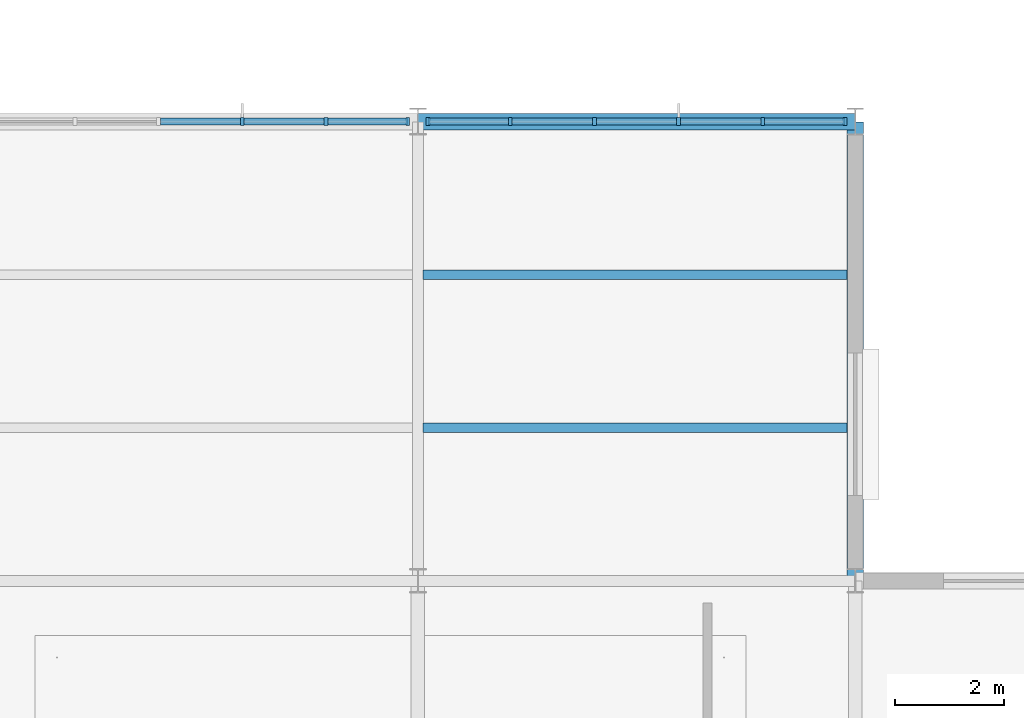
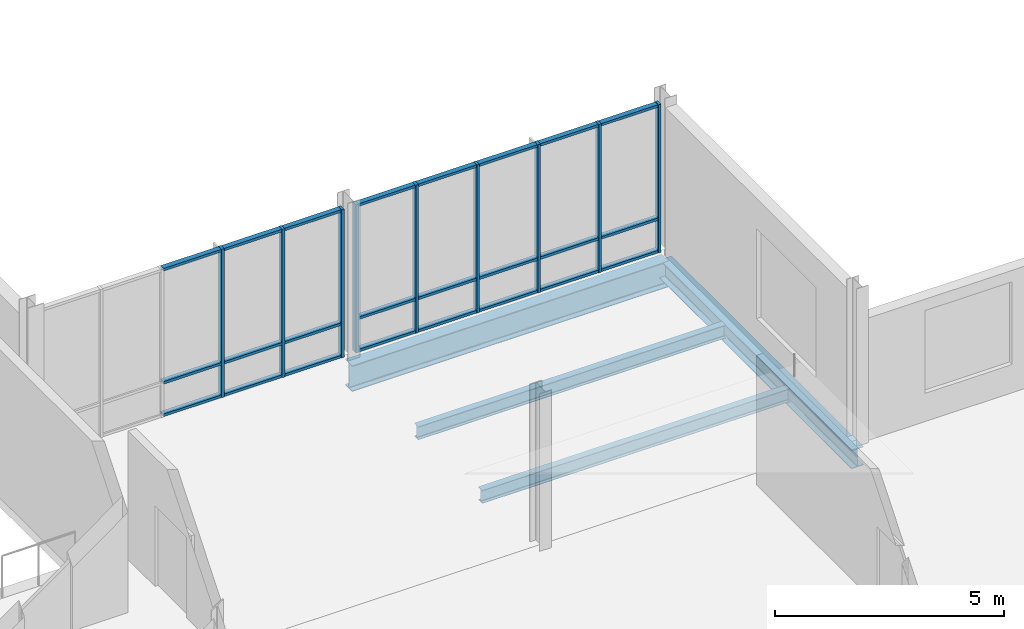
# One storey, part 36 of 75: 33 members, 4 beams, 2 elements without a shape of their own.
"""IFC4 building model written with IfcOpenShell, lengths in metres."""

from ifc_helpers import new_model, si_unit, direction, frame, origin, origin_2d, place, context, subcontext, project, spatial, rectangle, i_section, extrude, material, layer, layer_set, material_profile, profile_set, type_object, element, aggregate, save


model = new_model("IFC4")

# Units and contexts
model_context = context("Model", 3, precision=1e-05, world=origin(), true_north=direction((0.0, 1.0)))
body_context = subcontext(model_context, "Body", "Model", "MODEL_VIEW")
ifc_project = project(units=[si_unit("LENGTHUNIT", "METRE"), si_unit("AREAUNIT", "SQUARE_METRE"), si_unit("VOLUMEUNIT", "CUBIC_METRE"), si_unit("PLANEANGLEUNIT", "RADIAN"), si_unit("MASSUNIT", "GRAM", prefix="KILO")], contexts=[model_context])

# Site, building, storey
site_placement = place(None, origin())
site = spatial("IfcSite", under=ifc_project, at=site_placement, CompositionType="ELEMENT")
building_placement = place(site_placement, origin())
building = spatial("IfcBuilding", under=site, at=building_placement, Name="Yukiwa Park Conservatory and Herbarium", CompositionType="ELEMENT")
storey_placement = place(building_placement, frame((0.0, 0.0, 4.800048828125)))
storey = spatial("IfcBuildingStorey", under=building, at=storey_placement, Name="L01", CompositionType="ELEMENT", Elevation=4.800048828125)

# Beams
ifc_material_1 = material(Name="Steel Q355D", Category="steel")
ifc_material_profile_1 = material_profile(ifc_material_1, i_section(OverallWidth=0.175048828125, OverallDepth=0.35009765625, WebThickness=0.007080078125, FlangeThickness=0.010986328125, FilletRadius=0.013916015625, at=origin_2d()), Name="HN 350x175x7x11")
ifc_profile_set_1 = profile_set([ifc_material_profile_1], Name="Steel Q355D")
beam_type_1 = type_object("IfcBeamType", Name="BM-JST-HN350", PredefinedType="JOIST", material=ifc_profile_set_1)
for number, where, z_axis, x_axis, name in (
    (1, (68.095947265625, 80.800048828125, -0.4150390625), (1.0, 0.0, 0.0), (0.0, 1.0, 0.0), "L01 composite floor joist 25"),
    (2, (68.095947265625, 83.60009765625, -0.4150390625), (1.0, 0.0, 0.0), (0.0, 1.0, 0.0), "L01 composite floor joist 26"),
):
    element("IfcBeam", number, at=place(storey_placement, frame(where, z_axis=z_axis, x_axis=x_axis)), inside=storey, type_object=beam_type_1, Name=name, PredefinedType="JOIST", context=body_context, shape_type="SweptSolid", body=[
        extrude(i_section(OverallWidth=0.175048828125, OverallDepth=0.35009765625, WebThickness=0.007080078125, FlangeThickness=0.010986328125, FilletRadius=0.013916015625, at=origin_2d()), origin(), (0.0, 0.0, 1.0), 7.758056640625),
    ])
ifc_material_2 = material(Name="Steel Q355D", Category="steel")
ifc_material_profile_2 = material_profile(ifc_material_2, i_section(OverallWidth=0.300048828125, OverallDepth=0.5, WebThickness=0.010986328125, FlangeThickness=0.01806640625, FilletRadius=0.02392578125, at=origin_2d()), Name="HM 500x300x11x18")
ifc_profile_set_2 = profile_set([ifc_material_profile_2], Name="Steel Q355D")
beam_type_2 = type_object("IfcBeamType", Name="BM-SPN-HN500", PredefinedType="SPANDREL", material=ifc_profile_set_2)
beam_1_placement = place(storey_placement, frame((76.0, 78.006103515625, -0.489990234375), z_axis=(0.0, 1.0, 0.0), x_axis=(-1.0, 0.0, 0.0)))
element("IfcBeam", 3, at=beam_1_placement, inside=storey, type_object=beam_type_2, Name="L01 spandrel girder Y-136", PredefinedType="SPANDREL", context=body_context, shape_type="SweptSolid", body=[
    extrude(i_section(OverallWidth=0.300048828125, OverallDepth=0.5, WebThickness=0.010986328125, FlangeThickness=0.01806640625, FilletRadius=0.02392578125, at=origin_2d()), origin(), (0.0, 0.0, 1.0), 8.387939453125),
])
ifc_material_3 = material(Name="Steel Q355D", Category="steel")
ifc_material_profile_3 = material_profile(ifc_material_3, i_section(OverallWidth=0.300048828125, OverallDepth=0.69189453125, WebThickness=0.012939453125, FlangeThickness=0.02001953125, FilletRadius=0.028076171875, at=origin_2d()), Name="HN 692x300x13x20")
ifc_profile_set_3 = profile_set([ifc_material_profile_3], Name="Steel Q355D")
beam_type_3 = type_object("IfcBeamType", Name="BM-SPN-HN550", PredefinedType="SPANDREL", material=ifc_profile_set_3)
beam_2_placement = place(storey_placement, frame((68.006103515625, 86.39990234375, -0.5859375), z_axis=(1.0, 0.0, 0.0), x_axis=(0.0, 1.0, 0.0)))
element("IfcBeam", 4, at=beam_2_placement, inside=storey, type_object=beam_type_3, Name="L01 spandrel beam X-72", PredefinedType="SPANDREL", context=body_context, shape_type="SweptSolid", body=[
    extrude(i_section(OverallWidth=0.300048828125, OverallDepth=0.69189453125, WebThickness=0.012939453125, FlangeThickness=0.02001953125, FilletRadius=0.028076171875, at=origin_2d()), origin(), (0.0, 0.0, 1.0), 7.98779296875),
])

# Curtain wall, members
ifc_material_4 = material(Name="Triple Low-E Insulated Glass", Category="glass")
ifc_layer = layer(ifc_material_4, 0.236083984375)
ifc_layer_set = layer_set([ifc_layer], Name="Triple Low-E Insulated Glass")
curtain_wall_type = type_object("IfcCurtainWallType", Name="CW-LINK-1500", PredefinedType="NOTDEFINED", material=ifc_layer_set)
curtain_wall_1_placement = place(storey_placement, origin())
curtain_wall_1 = element("IfcCurtainWall", 5, at=curtain_wall_1_placement, inside=storey, type_object=curtain_wall_type, Name="L01 unitised curtain wall CW-L01-046", PredefinedType="NOTDEFINED")
ifc_material_5 = material(Name="Anodised Aluminium", Category="aluminium")
member_type_1 = type_object("IfcMemberType", Name="MB-CW-MUL-70X150", PredefinedType="MULLION", material=ifc_material_5)
member_1_placement = place(storey_placement, frame((75.81494140625, 86.39990234375, 0.0), z_axis=(0.0, 0.0, 1.0), x_axis=(-1.0, 0.0, 0.0)))
member_1 = element("IfcMember", 6, at=member_1_placement, type_object=member_type_1, Name="CW-L01-046 mullion 1", PredefinedType="MULLION", context=body_context, shape_type="SweptSolid", body=[
    extrude(rectangle(XDim=0.070068359375, YDim=0.14990234375, at=origin_2d()), origin(), (0.0, 0.0, 1.0), 3.955078125),
])
member_2_placement = place(storey_placement, frame((74.31005859375, 86.39990234375, 0.0), z_axis=(0.0, 0.0, 1.0), x_axis=(-1.0, 0.0, 0.0)))
member_2 = element("IfcMember", 7, at=member_2_placement, type_object=member_type_1, Name="CW-L01-046 mullion 2", PredefinedType="MULLION", context=body_context, shape_type="SweptSolid", body=[
    extrude(rectangle(XDim=0.070068359375, YDim=0.14990234375, at=origin_2d()), origin(), (0.0, 0.0, 1.0), 3.955078125),
])
member_3_placement = place(storey_placement, frame((72.77001953125, 86.39990234375, 0.0), z_axis=(0.0, 0.0, 1.0), x_axis=(-1.0, 0.0, 0.0)))
member_3 = element("IfcMember", 8, at=member_3_placement, type_object=member_type_1, Name="CW-L01-046 mullion 3", PredefinedType="MULLION", context=body_context, shape_type="SweptSolid", body=[
    extrude(rectangle(XDim=0.070068359375, YDim=0.14990234375, at=origin_2d()), origin(), (0.0, 0.0, 1.0), 3.955078125),
])
member_4_placement = place(storey_placement, frame((71.22998046875, 86.39990234375, 0.0), z_axis=(0.0, 0.0, 1.0), x_axis=(-1.0, 0.0, 0.0)))
member_4 = element("IfcMember", 9, at=member_4_placement, type_object=member_type_1, Name="CW-L01-046 mullion 4", PredefinedType="MULLION", context=body_context, shape_type="SweptSolid", body=[
    extrude(rectangle(XDim=0.070068359375, YDim=0.14990234375, at=origin_2d()), origin(), (0.0, 0.0, 1.0), 3.955078125),
])
member_5_placement = place(storey_placement, frame((69.68994140625, 86.39990234375, 0.0), z_axis=(0.0, 0.0, 1.0), x_axis=(-1.0, 0.0, 0.0)))
member_5 = element("IfcMember", 10, at=member_5_placement, type_object=member_type_1, Name="CW-L01-046 mullion 5", PredefinedType="MULLION", context=body_context, shape_type="SweptSolid", body=[
    extrude(rectangle(XDim=0.070068359375, YDim=0.14990234375, at=origin_2d()), origin(), (0.0, 0.0, 1.0), 3.955078125),
])
member_6_placement = place(storey_placement, frame((68.18505859375, 86.39990234375, 0.0), z_axis=(0.0, 0.0, 1.0), x_axis=(-1.0, 0.0, 0.0)))
member_6 = element("IfcMember", 11, at=member_6_placement, type_object=member_type_1, Name="CW-L01-046 mullion 6", PredefinedType="MULLION", context=body_context, shape_type="SweptSolid", body=[
    extrude(rectangle(XDim=0.070068359375, YDim=0.14990234375, at=origin_2d()), origin(), (0.0, 0.0, 1.0), 3.955078125),
])

curtain_wall_2_placement = place(storey_placement, origin())
curtain_wall_2 = element("IfcCurtainWall", 12, at=curtain_wall_2_placement, inside=storey, type_object=curtain_wall_type, Name="L01 unitised curtain wall CW-L01-047", PredefinedType="NOTDEFINED")
member_7_placement = place(storey_placement, frame((67.81494140625, 86.39990234375, 0.0), z_axis=(0.0, 0.0, 1.0), x_axis=(-1.0, 0.0, 0.0)))
member_7 = element("IfcMember", 13, at=member_7_placement, type_object=member_type_1, Name="CW-L01-047 mullion 1", PredefinedType="MULLION", context=body_context, shape_type="SweptSolid", body=[
    extrude(rectangle(XDim=0.070068359375, YDim=0.14990234375, at=origin_2d()), origin(), (0.0, 0.0, 1.0), 3.955078125),
])
member_8_placement = place(storey_placement, frame((66.320068359375, 86.39990234375, 0.0), z_axis=(0.0, 0.0, 1.0), x_axis=(-1.0, 0.0, 0.0)))
member_8 = element("IfcMember", 14, at=member_8_placement, type_object=member_type_1, Name="CW-L01-047 mullion 2", PredefinedType="MULLION", context=body_context, shape_type="SweptSolid", body=[
    extrude(rectangle(XDim=0.070068359375, YDim=0.14990234375, at=origin_2d()), origin(), (0.0, 0.0, 1.0), 3.955078125),
])
member_9_placement = place(storey_placement, frame((64.7900390625, 86.39990234375, 0.0), z_axis=(0.0, 0.0, 1.0), x_axis=(-1.0, 0.0, 0.0)))
member_9 = element("IfcMember", 15, at=member_9_placement, type_object=member_type_1, Name="CW-L01-047 mullion 3", PredefinedType="MULLION", context=body_context, shape_type="SweptSolid", body=[
    extrude(rectangle(XDim=0.070068359375, YDim=0.14990234375, at=origin_2d()), origin(), (0.0, 0.0, 1.0), 3.955078125),
])

# Member
ifc_material_6 = material(Name="Anodised Aluminium", Category="aluminium")
member_type_2 = type_object("IfcMemberType", Name="MB-CW-TRN-70X130", PredefinedType="USERDEFINED", material=ifc_material_6)
member_10_placement = place(storey_placement, frame((75.080078125, 86.39990234375, 0.0), z_axis=(0.0, 0.0, 1.0), x_axis=(-1.0, 0.0, 0.0)))
member_10 = element("IfcMember", 16, at=member_10_placement, type_object=member_type_2, Name="CW-L01-046 transom 1.1", ObjectType="TRANSOM", PredefinedType="USERDEFINED", context=body_context, shape_type="SweptSolid", body=[
    extrude(rectangle(XDim=1.469970703125, YDim=0.1298828125, at=origin_2d()), origin(), (0.0, 0.0, 1.0), 0.070068359375),
])

member_11_placement = place(storey_placement, frame((75.080078125, 86.39990234375, 0.86474609375), z_axis=(0.0, 0.0, 1.0), x_axis=(-1.0, 0.0, 0.0)))
member_11 = element("IfcMember", 17, at=member_11_placement, type_object=member_type_2, Name="CW-L01-046 transom 1.2", ObjectType="TRANSOM", PredefinedType="USERDEFINED", context=body_context, shape_type="SweptSolid", body=[
    extrude(rectangle(XDim=1.469970703125, YDim=0.1298828125, at=origin_2d()), origin(), (0.0, 0.0, 1.0), 0.070068359375),
])

member_12_placement = place(storey_placement, frame((75.080078125, 86.39990234375, 3.884765625), z_axis=(0.0, 0.0, 1.0), x_axis=(-1.0, 0.0, 0.0)))
member_12 = element("IfcMember", 18, at=member_12_placement, type_object=member_type_2, Name="CW-L01-046 transom 1.3", ObjectType="TRANSOM", PredefinedType="USERDEFINED", context=body_context, shape_type="SweptSolid", body=[
    extrude(rectangle(XDim=1.469970703125, YDim=0.1298828125, at=origin_2d()), origin(), (0.0, 0.0, 1.0), 0.070068359375),
])

member_13_placement = place(storey_placement, frame((73.5400390625, 86.39990234375, 0.0), z_axis=(0.0, 0.0, 1.0), x_axis=(-1.0, 0.0, 0.0)))
member_13 = element("IfcMember", 19, at=member_13_placement, type_object=member_type_2, Name="CW-L01-046 transom 2.1", ObjectType="TRANSOM", PredefinedType="USERDEFINED", context=body_context, shape_type="SweptSolid", body=[
    extrude(rectangle(XDim=1.469970703125, YDim=0.1298828125, at=origin_2d()), origin(), (0.0, 0.0, 1.0), 0.070068359375),
])

member_14_placement = place(storey_placement, frame((73.5400390625, 86.39990234375, 0.86474609375), z_axis=(0.0, 0.0, 1.0), x_axis=(-1.0, 0.0, 0.0)))
member_14 = element("IfcMember", 20, at=member_14_placement, type_object=member_type_2, Name="CW-L01-046 transom 2.2", ObjectType="TRANSOM", PredefinedType="USERDEFINED", context=body_context, shape_type="SweptSolid", body=[
    extrude(rectangle(XDim=1.469970703125, YDim=0.1298828125, at=origin_2d()), origin(), (0.0, 0.0, 1.0), 0.070068359375),
])

member_15_placement = place(storey_placement, frame((73.5400390625, 86.39990234375, 3.884765625), z_axis=(0.0, 0.0, 1.0), x_axis=(-1.0, 0.0, 0.0)))
member_15 = element("IfcMember", 21, at=member_15_placement, type_object=member_type_2, Name="CW-L01-046 transom 2.3", ObjectType="TRANSOM", PredefinedType="USERDEFINED", context=body_context, shape_type="SweptSolid", body=[
    extrude(rectangle(XDim=1.469970703125, YDim=0.1298828125, at=origin_2d()), origin(), (0.0, 0.0, 1.0), 0.070068359375),
])

member_16_placement = place(storey_placement, frame((72.0, 86.39990234375, 0.0), z_axis=(0.0, 0.0, 1.0), x_axis=(-1.0, 0.0, 0.0)))
member_16 = element("IfcMember", 22, at=member_16_placement, type_object=member_type_2, Name="CW-L01-046 transom 3.1", ObjectType="TRANSOM", PredefinedType="USERDEFINED", context=body_context, shape_type="SweptSolid", body=[
    extrude(rectangle(XDim=1.469970703125, YDim=0.1298828125, at=origin_2d()), origin(), (0.0, 0.0, 1.0), 0.070068359375),
])

member_17_placement = place(storey_placement, frame((72.0, 86.39990234375, 0.86474609375), z_axis=(0.0, 0.0, 1.0), x_axis=(-1.0, 0.0, 0.0)))
member_17 = element("IfcMember", 23, at=member_17_placement, type_object=member_type_2, Name="CW-L01-046 transom 3.2", ObjectType="TRANSOM", PredefinedType="USERDEFINED", context=body_context, shape_type="SweptSolid", body=[
    extrude(rectangle(XDim=1.469970703125, YDim=0.1298828125, at=origin_2d()), origin(), (0.0, 0.0, 1.0), 0.070068359375),
])

member_18_placement = place(storey_placement, frame((72.0, 86.39990234375, 3.884765625), z_axis=(0.0, 0.0, 1.0), x_axis=(-1.0, 0.0, 0.0)))
member_18 = element("IfcMember", 24, at=member_18_placement, type_object=member_type_2, Name="CW-L01-046 transom 3.3", ObjectType="TRANSOM", PredefinedType="USERDEFINED", context=body_context, shape_type="SweptSolid", body=[
    extrude(rectangle(XDim=1.469970703125, YDim=0.1298828125, at=origin_2d()), origin(), (0.0, 0.0, 1.0), 0.070068359375),
])

member_19_placement = place(storey_placement, frame((70.4599609375, 86.39990234375, 0.0), z_axis=(0.0, 0.0, 1.0), x_axis=(-1.0, 0.0, 0.0)))
member_19 = element("IfcMember", 25, at=member_19_placement, type_object=member_type_2, Name="CW-L01-046 transom 4.1", ObjectType="TRANSOM", PredefinedType="USERDEFINED", context=body_context, shape_type="SweptSolid", body=[
    extrude(rectangle(XDim=1.469970703125, YDim=0.1298828125, at=origin_2d()), origin(), (0.0, 0.0, 1.0), 0.070068359375),
])

member_20_placement = place(storey_placement, frame((70.4599609375, 86.39990234375, 0.86474609375), z_axis=(0.0, 0.0, 1.0), x_axis=(-1.0, 0.0, 0.0)))
member_20 = element("IfcMember", 26, at=member_20_placement, type_object=member_type_2, Name="CW-L01-046 transom 4.2", ObjectType="TRANSOM", PredefinedType="USERDEFINED", context=body_context, shape_type="SweptSolid", body=[
    extrude(rectangle(XDim=1.469970703125, YDim=0.1298828125, at=origin_2d()), origin(), (0.0, 0.0, 1.0), 0.070068359375),
])

member_21_placement = place(storey_placement, frame((70.4599609375, 86.39990234375, 3.884765625), z_axis=(0.0, 0.0, 1.0), x_axis=(-1.0, 0.0, 0.0)))
member_21 = element("IfcMember", 27, at=member_21_placement, type_object=member_type_2, Name="CW-L01-046 transom 4.3", ObjectType="TRANSOM", PredefinedType="USERDEFINED", context=body_context, shape_type="SweptSolid", body=[
    extrude(rectangle(XDim=1.469970703125, YDim=0.1298828125, at=origin_2d()), origin(), (0.0, 0.0, 1.0), 0.070068359375),
])

member_22_placement = place(storey_placement, frame((68.919921875, 86.39990234375, 0.0), z_axis=(0.0, 0.0, 1.0), x_axis=(-1.0, 0.0, 0.0)))
member_22 = element("IfcMember", 28, at=member_22_placement, type_object=member_type_2, Name="CW-L01-046 transom 5.1", ObjectType="TRANSOM", PredefinedType="USERDEFINED", context=body_context, shape_type="SweptSolid", body=[
    extrude(rectangle(XDim=1.469970703125, YDim=0.1298828125, at=origin_2d()), origin(), (0.0, 0.0, 1.0), 0.070068359375),
])

member_23_placement = place(storey_placement, frame((68.919921875, 86.39990234375, 0.86474609375), z_axis=(0.0, 0.0, 1.0), x_axis=(-1.0, 0.0, 0.0)))
member_23 = element("IfcMember", 29, at=member_23_placement, type_object=member_type_2, Name="CW-L01-046 transom 5.2", ObjectType="TRANSOM", PredefinedType="USERDEFINED", context=body_context, shape_type="SweptSolid", body=[
    extrude(rectangle(XDim=1.469970703125, YDim=0.1298828125, at=origin_2d()), origin(), (0.0, 0.0, 1.0), 0.070068359375),
])

member_24_placement = place(storey_placement, frame((68.919921875, 86.39990234375, 3.884765625), z_axis=(0.0, 0.0, 1.0), x_axis=(-1.0, 0.0, 0.0)))
member_24 = element("IfcMember", 30, at=member_24_placement, type_object=member_type_2, Name="CW-L01-046 transom 5.3", ObjectType="TRANSOM", PredefinedType="USERDEFINED", context=body_context, shape_type="SweptSolid", body=[
    extrude(rectangle(XDim=1.469970703125, YDim=0.1298828125, at=origin_2d()), origin(), (0.0, 0.0, 1.0), 0.070068359375),
])

aggregate(curtain_wall_1, [member_1, member_2, member_3, member_4, member_5, member_6, member_10, member_11, member_12, member_13, member_14, member_15, member_16, member_17, member_18, member_19, member_20, member_21, member_22, member_23, member_24])

member_25_placement = place(storey_placement, frame((67.0849609375, 86.39990234375, 0.0), z_axis=(0.0, 0.0, 1.0), x_axis=(-1.0, 0.0, 0.0)))
member_25 = element("IfcMember", 31, at=member_25_placement, type_object=member_type_2, Name="CW-L01-047 transom 1.1", ObjectType="TRANSOM", PredefinedType="USERDEFINED", context=body_context, shape_type="SweptSolid", body=[
    extrude(rectangle(XDim=1.4599609375, YDim=0.1298828125, at=origin_2d()), origin(), (0.0, 0.0, 1.0), 0.070068359375),
])

member_26_placement = place(storey_placement, frame((67.0849609375, 86.39990234375, 0.86474609375), z_axis=(0.0, 0.0, 1.0), x_axis=(-1.0, 0.0, 0.0)))
member_26 = element("IfcMember", 32, at=member_26_placement, type_object=member_type_2, Name="CW-L01-047 transom 1.2", ObjectType="TRANSOM", PredefinedType="USERDEFINED", context=body_context, shape_type="SweptSolid", body=[
    extrude(rectangle(XDim=1.4599609375, YDim=0.1298828125, at=origin_2d()), origin(), (0.0, 0.0, 1.0), 0.070068359375),
])

member_27_placement = place(storey_placement, frame((67.0849609375, 86.39990234375, 3.884765625), z_axis=(0.0, 0.0, 1.0), x_axis=(-1.0, 0.0, 0.0)))
member_27 = element("IfcMember", 33, at=member_27_placement, type_object=member_type_2, Name="CW-L01-047 transom 1.3", ObjectType="TRANSOM", PredefinedType="USERDEFINED", context=body_context, shape_type="SweptSolid", body=[
    extrude(rectangle(XDim=1.4599609375, YDim=0.1298828125, at=origin_2d()), origin(), (0.0, 0.0, 1.0), 0.070068359375),
])

member_28_placement = place(storey_placement, frame((65.554931640625, 86.39990234375, 0.0), z_axis=(0.0, 0.0, 1.0), x_axis=(-1.0, 0.0, 0.0)))
member_28 = element("IfcMember", 34, at=member_28_placement, type_object=member_type_2, Name="CW-L01-047 transom 2.1", ObjectType="TRANSOM", PredefinedType="USERDEFINED", context=body_context, shape_type="SweptSolid", body=[
    extrude(rectangle(XDim=1.4599609375, YDim=0.1298828125, at=origin_2d()), origin(), (0.0, 0.0, 1.0), 0.070068359375),
])

member_29_placement = place(storey_placement, frame((65.554931640625, 86.39990234375, 0.86474609375), z_axis=(0.0, 0.0, 1.0), x_axis=(-1.0, 0.0, 0.0)))
member_29 = element("IfcMember", 35, at=member_29_placement, type_object=member_type_2, Name="CW-L01-047 transom 2.2", ObjectType="TRANSOM", PredefinedType="USERDEFINED", context=body_context, shape_type="SweptSolid", body=[
    extrude(rectangle(XDim=1.4599609375, YDim=0.1298828125, at=origin_2d()), origin(), (0.0, 0.0, 1.0), 0.070068359375),
])

member_30_placement = place(storey_placement, frame((65.554931640625, 86.39990234375, 3.884765625), z_axis=(0.0, 0.0, 1.0), x_axis=(-1.0, 0.0, 0.0)))
member_30 = element("IfcMember", 36, at=member_30_placement, type_object=member_type_2, Name="CW-L01-047 transom 2.3", ObjectType="TRANSOM", PredefinedType="USERDEFINED", context=body_context, shape_type="SweptSolid", body=[
    extrude(rectangle(XDim=1.4599609375, YDim=0.1298828125, at=origin_2d()), origin(), (0.0, 0.0, 1.0), 0.070068359375),
])

member_31_placement = place(storey_placement, frame((64.02490234375, 86.39990234375, 0.0), z_axis=(0.0, 0.0, 1.0), x_axis=(-1.0, 0.0, 0.0)))
member_31 = element("IfcMember", 37, at=member_31_placement, type_object=member_type_2, Name="CW-L01-047 transom 3.1", ObjectType="TRANSOM", PredefinedType="USERDEFINED", context=body_context, shape_type="SweptSolid", body=[
    extrude(rectangle(XDim=1.4599609375, YDim=0.1298828125, at=origin_2d()), origin(), (0.0, 0.0, 1.0), 0.070068359375),
])

member_32_placement = place(storey_placement, frame((64.02490234375, 86.39990234375, 0.86474609375), z_axis=(0.0, 0.0, 1.0), x_axis=(-1.0, 0.0, 0.0)))
member_32 = element("IfcMember", 38, at=member_32_placement, type_object=member_type_2, Name="CW-L01-047 transom 3.2", ObjectType="TRANSOM", PredefinedType="USERDEFINED", context=body_context, shape_type="SweptSolid", body=[
    extrude(rectangle(XDim=1.4599609375, YDim=0.1298828125, at=origin_2d()), origin(), (0.0, 0.0, 1.0), 0.070068359375),
])

member_33_placement = place(storey_placement, frame((64.02490234375, 86.39990234375, 3.884765625), z_axis=(0.0, 0.0, 1.0), x_axis=(-1.0, 0.0, 0.0)))
member_33 = element("IfcMember", 39, at=member_33_placement, type_object=member_type_2, Name="CW-L01-047 transom 3.3", ObjectType="TRANSOM", PredefinedType="USERDEFINED", context=body_context, shape_type="SweptSolid", body=[
    extrude(rectangle(XDim=1.4599609375, YDim=0.1298828125, at=origin_2d()), origin(), (0.0, 0.0, 1.0), 0.070068359375),
])

aggregate(curtain_wall_2, [member_7, member_8, member_9, member_25, member_26, member_27, member_28, member_29, member_30, member_31, member_32, member_33])

save(model, "model.ifc")
